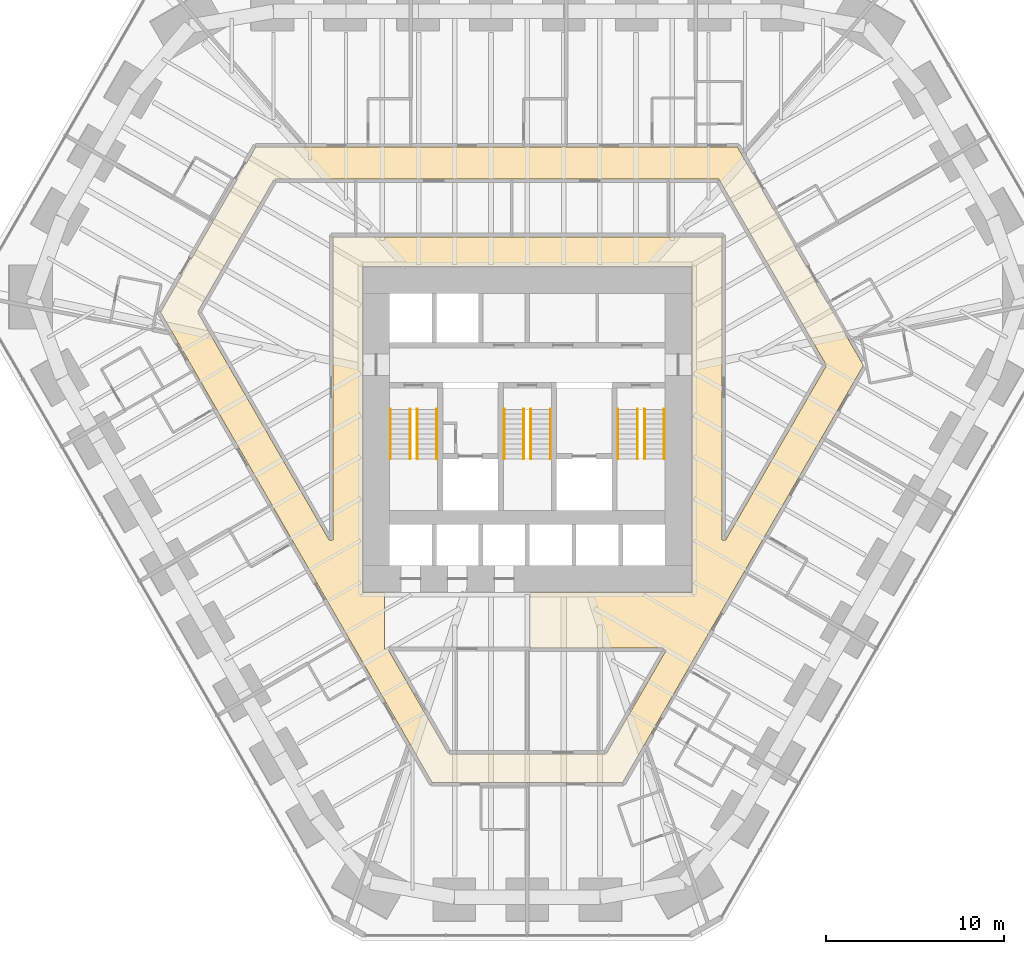
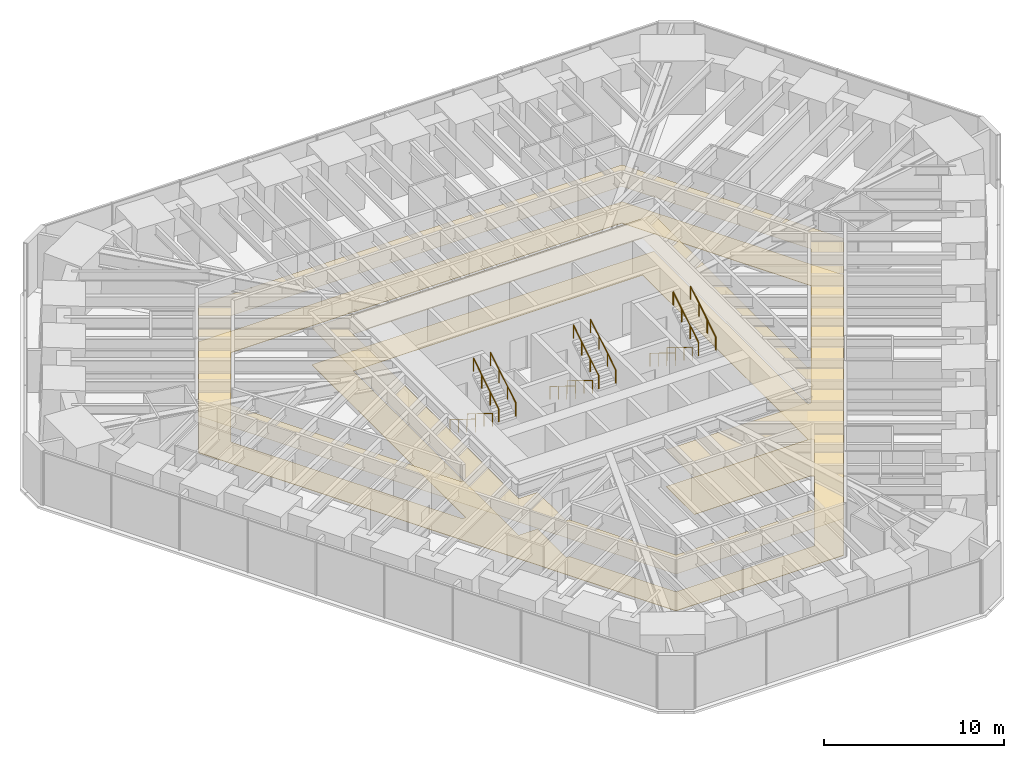
# One storey, part 17 of 17: 12 railings, 2 coverings.
"""IFC4 building model written with IfcOpenShell, lengths in metres."""

from ifc_helpers import new_model, si_unit, direction, frame, origin, origin_2d, place, context, subcontext, project, spatial, polyline, circle, outline, extrude, material, layer, layer_set, type_object, element, save


model = new_model("IFC4")

# Units and contexts
model_context = context("Model", 3, precision=1e-05, world=origin(), true_north=direction((0.0, 1.0)))
body_context = subcontext(model_context, "Body", "Model", "MODEL_VIEW")
ifc_project = project(units=[si_unit("LENGTHUNIT", "METRE"), si_unit("AREAUNIT", "SQUARE_METRE"), si_unit("VOLUMEUNIT", "CUBIC_METRE"), si_unit("PLANEANGLEUNIT", "RADIAN"), si_unit("MASSUNIT", "GRAM", prefix="KILO")], contexts=[model_context])

# Site, building, storey
site_placement = place(None, origin())
site = spatial("IfcSite", under=ifc_project, at=site_placement, CompositionType="ELEMENT")
building_placement = place(site_placement, origin())
building = spatial("IfcBuilding", under=site, at=building_placement, Name="Sandreach Pilgrim Tower", CompositionType="ELEMENT")
storey_placement = place(building_placement, frame((0.0, 0.0, 72.39990234375)))
storey = spatial("IfcBuildingStorey", under=building, at=storey_placement, Name="L17", CompositionType="ELEMENT", Elevation=72.39990234375)

# Covering
ifc_material_1 = material(Name="Gypsum board suspended ceiling on a steel grid", Category="steel")
ifc_layer_1 = layer(ifc_material_1, 0.012939453125)
ifc_layer_set_1 = layer_set([ifc_layer_1], Name="Gypsum board suspended ceiling")
covering_type_1 = type_object("IfcCoveringType", Name="Gypsum board suspended ceiling", PredefinedType="CEILING", material=ifc_layer_set_1)
covering_1_placement = place(storey_placement, frame((0.0, 0.0, 2.5)))
element("IfcCovering", 1, at=covering_1_placement, inside=storey, type_object=covering_type_1, Name="Ceiling 17C Corridor 17", PredefinedType="CEILING", context=body_context, shape_type="SweptSolid", body=[
    extrude(outline(polyline([(-5.3623046875, -21.409912109375), (-20.64453125, 5.059814453125), (-15.2822265625, 14.35009765625), (11.82177734375, 14.35009765625), (18.91455078125, 2.06005859375), (5.3623046875, -21.409912109375), (-5.3623046875, -21.409912109375)]), holes=[polyline([(-11.16552734375, -7.760009765625), (-10.949951171875, -7.760009765625), (-10.949951171875, 9.300048828125), (10.949951171875, 9.300048828125), (10.949951171875, -7.760009765625), (11.16552734375, -7.760009765625), (16.83544921875, 2.06005859375), (10.77783203125, 12.550048828125), (-14.247802734375, 12.550048828125), (-18.5654296875, 5.06005859375), (-11.16552734375, -7.760009765625)]), polyline([(-8.050048828125, -10.719970703125), (-8.050048828125, -13.89990234375), (-7.8544921875, -13.89990234375), (-4.437744140625, -19.81005859375), (4.437744140625, -19.81005859375), (7.796630859375, -14.0), (7.635009765625, -13.85009765625), (0.179931640625, -13.85009765625), (0.175048828125, -10.719970703125), (9.27001953125, -10.719970703125), (9.27001953125, 7.6201171875), (-9.27001953125, 7.6201171875), (-9.27001953125, -10.719970703125), (-8.050048828125, -10.719970703125)])]), origin(), (0.0, 0.0, 1.0), 0.01318359375),
])

# Railings
ifc_material_2 = material(Name="Stainless steel tube", Category="steel")
railing_type = type_object("IfcRailingType", Name="Stair handrail", PredefinedType="HANDRAIL", material=ifc_material_2)
for number, where, name in (
    (2, (-6.60009765625, -0.39990234375, 0.1728515625), "Handrail ST1 L17 flight 1"),
    (3, (-7.699951171875, -0.39990234375, 0.1728515625), "Handrail ST1 L17 flight 1"),
):
    element("IfcRailing", number, at=place(storey_placement, frame(where)), inside=storey, type_object=railing_type, Name=name, PredefinedType="HANDRAIL", context=body_context, shape_type="SweptSolid", body=[
        extrude(circle(Radius=0.02392578125, at=origin_2d()), frame((0.0, 0.0, 0.8759765625), z_axis=(0.0, -0.851089632645, 0.525020415988), x_axis=(1.0, 0.0, 0.0)), (0.0, 0.0, 1.0), 3.2900390625),
        extrude(circle(Radius=0.02099609375, at=origin_2d()), origin(), (0.0, 0.0, 1.0), 0.851806640625),
        extrude(circle(Radius=0.02099609375, at=origin_2d()), frame((0.0, -0.933349609375, 0.57568359375)), (0.0, 0.0, 1.0), 0.851806640625),
        extrude(circle(Radius=0.02099609375, at=origin_2d()), frame((0.0, -1.86669921875, 1.151611328125)), (0.0, 0.0, 1.0), 0.851806640625),
        extrude(circle(Radius=0.02099609375, at=origin_2d()), frame((0.0, -2.800048828125, 1.727294921875)), (0.0, 0.0, 1.0), 0.851806640625),
    ])
for number, where, name in (
    (4, (-6.199951171875, -3.199951171875, 2.07275390625), "Handrail ST1 L17 flight 2"),
    (5, (-5.10009765625, -3.199951171875, 2.07275390625), "Handrail ST1 L17 flight 2"),
):
    element("IfcRailing", number, at=place(storey_placement, frame(where)), inside=storey, type_object=railing_type, Name=name, PredefinedType="HANDRAIL", context=body_context, shape_type="SweptSolid", body=[
        extrude(circle(Radius=0.02392578125, at=origin_2d()), frame((0.0, 0.0, 0.8759765625), z_axis=(0.0, 0.851089632645, 0.525020415988), x_axis=(-1.0, 0.0, 0.0)), (0.0, 0.0, 1.0), 3.2900390625),
        extrude(circle(Radius=0.02099609375, at=origin_2d()), origin(), (0.0, 0.0, 1.0), 0.851806640625),
        extrude(circle(Radius=0.02099609375, at=origin_2d()), frame((0.0, 0.933349609375, 0.57568359375)), (0.0, 0.0, 1.0), 0.851806640625),
        extrude(circle(Radius=0.02099609375, at=origin_2d()), frame((0.0, 1.86669921875, 1.151611328125)), (0.0, 0.0, 1.0), 0.851806640625),
        extrude(circle(Radius=0.02099609375, at=origin_2d()), frame((0.0, 2.800048828125, 1.727294921875)), (0.0, 0.0, 1.0), 0.851806640625),
    ])
for number, where, name in (
    (6, (-0.199951171875, -0.39990234375, 0.1728515625), "Handrail ST3 L17 flight 1"),
    (7, (-1.300048828125, -0.39990234375, 0.1728515625), "Handrail ST3 L17 flight 1"),
):
    element("IfcRailing", number, at=place(storey_placement, frame(where)), inside=storey, type_object=railing_type, Name=name, PredefinedType="HANDRAIL", context=body_context, shape_type="SweptSolid", body=[
        extrude(circle(Radius=0.02392578125, at=origin_2d()), frame((0.0, 0.0, 0.8759765625), z_axis=(0.0, -0.851089632645, 0.525020415988), x_axis=(1.0, 0.0, 0.0)), (0.0, 0.0, 1.0), 3.2900390625),
        extrude(circle(Radius=0.02099609375, at=origin_2d()), origin(), (0.0, 0.0, 1.0), 0.851806640625),
        extrude(circle(Radius=0.02099609375, at=origin_2d()), frame((0.0, -0.933349609375, 0.57568359375)), (0.0, 0.0, 1.0), 0.851806640625),
        extrude(circle(Radius=0.02099609375, at=origin_2d()), frame((0.0, -1.86669921875, 1.151611328125)), (0.0, 0.0, 1.0), 0.851806640625),
        extrude(circle(Radius=0.02099609375, at=origin_2d()), frame((0.0, -2.800048828125, 1.727294921875)), (0.0, 0.0, 1.0), 0.851806640625),
    ])
for number, where, name in (
    (8, (0.199951171875, -3.199951171875, 2.07275390625), "Handrail ST3 L17 flight 2"),
    (9, (1.300048828125, -3.199951171875, 2.07275390625), "Handrail ST3 L17 flight 2"),
):
    element("IfcRailing", number, at=place(storey_placement, frame(where)), inside=storey, type_object=railing_type, Name=name, PredefinedType="HANDRAIL", context=body_context, shape_type="SweptSolid", body=[
        extrude(circle(Radius=0.02392578125, at=origin_2d()), frame((0.0, 0.0, 0.8759765625), z_axis=(0.0, 0.851089632645, 0.525020415988), x_axis=(-1.0, 0.0, 0.0)), (0.0, 0.0, 1.0), 3.2900390625),
        extrude(circle(Radius=0.02099609375, at=origin_2d()), origin(), (0.0, 0.0, 1.0), 0.851806640625),
        extrude(circle(Radius=0.02099609375, at=origin_2d()), frame((0.0, 0.933349609375, 0.57568359375)), (0.0, 0.0, 1.0), 0.851806640625),
        extrude(circle(Radius=0.02099609375, at=origin_2d()), frame((0.0, 1.86669921875, 1.151611328125)), (0.0, 0.0, 1.0), 0.851806640625),
        extrude(circle(Radius=0.02099609375, at=origin_2d()), frame((0.0, 2.800048828125, 1.727294921875)), (0.0, 0.0, 1.0), 0.851806640625),
    ])
for number, where, name in (
    (10, (6.199951171875, -0.39990234375, 0.1728515625), "Handrail ST2 L17 flight 1"),
    (11, (5.10009765625, -0.39990234375, 0.1728515625), "Handrail ST2 L17 flight 1"),
):
    element("IfcRailing", number, at=place(storey_placement, frame(where)), inside=storey, type_object=railing_type, Name=name, PredefinedType="HANDRAIL", context=body_context, shape_type="SweptSolid", body=[
        extrude(circle(Radius=0.02392578125, at=origin_2d()), frame((0.0, 0.0, 0.8759765625), z_axis=(0.0, -0.851089632645, 0.525020415988), x_axis=(1.0, 0.0, 0.0)), (0.0, 0.0, 1.0), 3.2900390625),
        extrude(circle(Radius=0.02099609375, at=origin_2d()), origin(), (0.0, 0.0, 1.0), 0.851806640625),
        extrude(circle(Radius=0.02099609375, at=origin_2d()), frame((0.0, -0.933349609375, 0.57568359375)), (0.0, 0.0, 1.0), 0.851806640625),
        extrude(circle(Radius=0.02099609375, at=origin_2d()), frame((0.0, -1.86669921875, 1.151611328125)), (0.0, 0.0, 1.0), 0.851806640625),
        extrude(circle(Radius=0.02099609375, at=origin_2d()), frame((0.0, -2.800048828125, 1.727294921875)), (0.0, 0.0, 1.0), 0.851806640625),
    ])
for number, where, name in (
    (12, (6.60009765625, -3.199951171875, 2.07275390625), "Handrail ST2 L17 flight 2"),
    (13, (7.699951171875, -3.199951171875, 2.07275390625), "Handrail ST2 L17 flight 2"),
):
    element("IfcRailing", number, at=place(storey_placement, frame(where)), inside=storey, type_object=railing_type, Name=name, PredefinedType="HANDRAIL", context=body_context, shape_type="SweptSolid", body=[
        extrude(circle(Radius=0.02392578125, at=origin_2d()), frame((0.0, 0.0, 0.8759765625), z_axis=(0.0, 0.851089632645, 0.525020415988), x_axis=(-1.0, 0.0, 0.0)), (0.0, 0.0, 1.0), 3.2900390625),
        extrude(circle(Radius=0.02099609375, at=origin_2d()), origin(), (0.0, 0.0, 1.0), 0.851806640625),
        extrude(circle(Radius=0.02099609375, at=origin_2d()), frame((0.0, 0.933349609375, 0.57568359375)), (0.0, 0.0, 1.0), 0.851806640625),
        extrude(circle(Radius=0.02099609375, at=origin_2d()), frame((0.0, 1.86669921875, 1.151611328125)), (0.0, 0.0, 1.0), 0.851806640625),
        extrude(circle(Radius=0.02099609375, at=origin_2d()), frame((0.0, 2.800048828125, 1.727294921875)), (0.0, 0.0, 1.0), 0.851806640625),
    ])

# Covering
ifc_material_3 = material(Name="Cement terrazzo, ground and polished", Category="terrazzo")
ifc_layer_2 = layer(ifc_material_3, 0.02490234375)
ifc_layer_set_2 = layer_set([ifc_layer_2], Name="Terrazzo")
covering_type_2 = type_object("IfcCoveringType", Name="Terrazzo", PredefinedType="FLOORING", material=ifc_layer_set_2)
covering_2_placement = place(storey_placement, origin())
element("IfcCovering", 14, at=covering_2_placement, inside=storey, type_object=covering_type_2, Name="Floor finish 17C Corridor 17", PredefinedType="FLOORING", context=body_context, shape_type="SweptSolid", body=[
    extrude(outline(polyline([(-5.3623046875, -21.409912109375), (-20.64453125, 5.059814453125), (-15.2822265625, 14.35009765625), (11.82177734375, 14.35009765625), (18.91455078125, 2.06005859375), (5.3623046875, -21.409912109375), (-5.3623046875, -21.409912109375)]), holes=[polyline([(-11.16552734375, -7.760009765625), (-10.949951171875, -7.760009765625), (-10.949951171875, 9.300048828125), (10.949951171875, 9.300048828125), (10.949951171875, -7.760009765625), (11.16552734375, -7.760009765625), (16.83544921875, 2.06005859375), (10.77783203125, 12.550048828125), (-14.247802734375, 12.550048828125), (-18.5654296875, 5.06005859375), (-11.16552734375, -7.760009765625)]), polyline([(-8.050048828125, -10.719970703125), (-8.050048828125, -13.89990234375), (-7.8544921875, -13.89990234375), (-4.437744140625, -19.81005859375), (4.437744140625, -19.81005859375), (7.796630859375, -14.0), (7.635009765625, -13.85009765625), (0.179931640625, -13.85009765625), (0.175048828125, -10.719970703125), (9.27001953125, -10.719970703125), (9.27001953125, 7.6201171875), (-9.27001953125, 7.6201171875), (-9.27001953125, -10.719970703125), (-8.050048828125, -10.719970703125)])]), origin(), (0.0, 0.0, 1.0), 0.025146484375),
])

save(model, "model.ifc")
